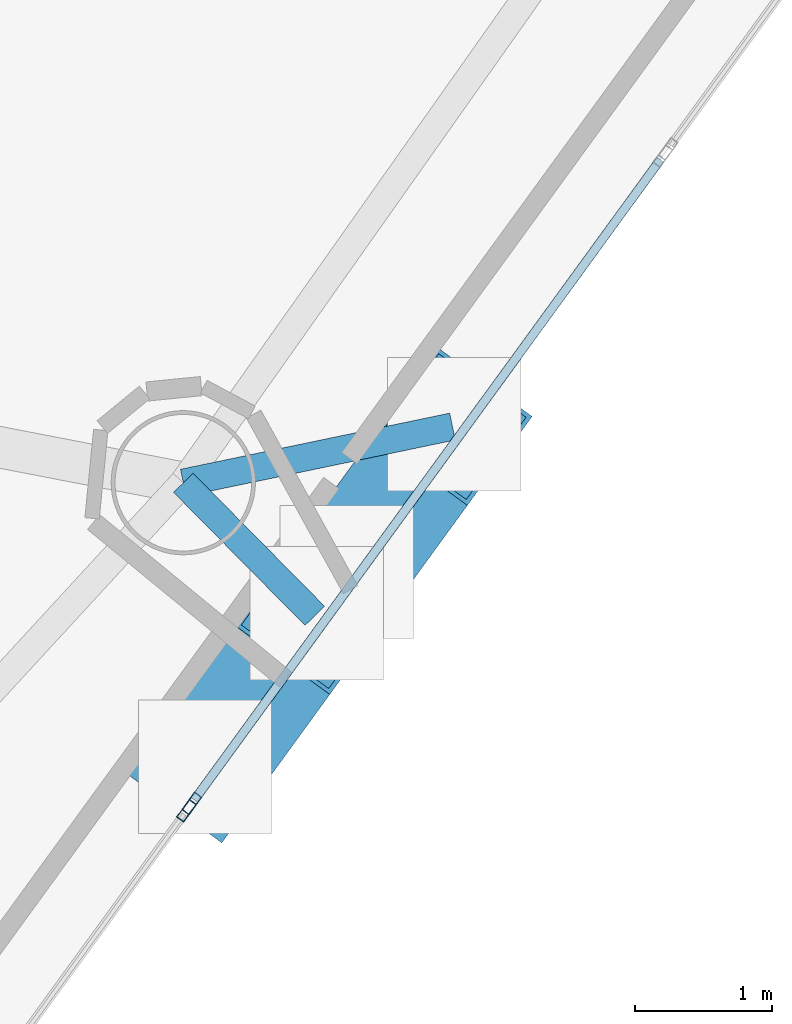
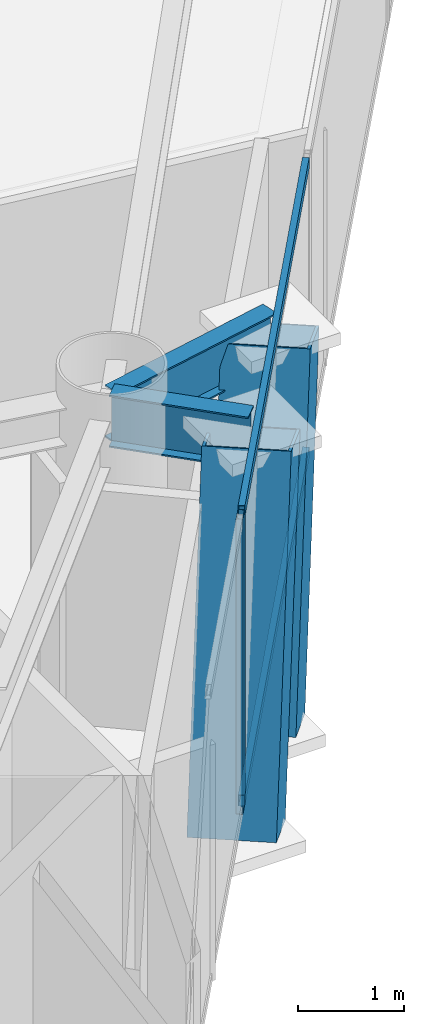
# One storey, part 6 of 21: 6 members, 2 beams, 2 elements without a shape of their own.
"""IFC4 building model written with IfcOpenShell, lengths in metres."""

from ifc_helpers import new_model, si_unit, direction, frame, origin, origin_2d, place, context, subcontext, project, spatial, hollow_rectangle, i_section, extrude, material, layer, layer_set, material_profile, profile_set, type_object, element, aggregate, save


model = new_model("IFC4")

# Units and contexts
model_context = context("Model", 3, precision=1e-05, world=origin(), true_north=direction((0.0, 1.0)))
body_context = subcontext(model_context, "Body", "Model", "MODEL_VIEW")
ifc_project = project(units=[si_unit("LENGTHUNIT", "METRE"), si_unit("AREAUNIT", "SQUARE_METRE"), si_unit("VOLUMEUNIT", "CUBIC_METRE"), si_unit("PLANEANGLEUNIT", "RADIAN"), si_unit("MASSUNIT", "GRAM", prefix="KILO")], contexts=[model_context])

# Site, building, storey
site_placement = place(None, origin())
site = spatial("IfcSite", under=ifc_project, at=site_placement, CompositionType="ELEMENT")
building_placement = place(site_placement, origin())
building = spatial("IfcBuilding", under=site, at=building_placement, Name="Qianvela Tower", CompositionType="ELEMENT")
storey_placement = place(building_placement, frame((0.0, 0.0, 272.300048828125)))
storey = spatial("IfcBuildingStorey", under=building, at=storey_placement, Name="L70", CompositionType="ELEMENT", Elevation=272.300048828125)

# Beams
ifc_material_1 = material(Name="Steel Q355B", Category="steel")
ifc_material_profile_1 = material_profile(ifc_material_1, i_section(OverallWidth=0.199951171875, OverallDepth=0.60009765625, WebThickness=0.010986328125, FlangeThickness=0.01708984375, at=origin_2d()), Name="HN600x200x11x17")
ifc_profile_set_1 = profile_set([ifc_material_profile_1], Name="Steel Q355B")
beam_type = type_object("IfcBeamType", Name="BM-HN600-GIRD", PredefinedType="BEAM", material=ifc_profile_set_1)
beam_1_placement = place(storey_placement, frame((45.43603515625, 20.597900390625, 3.097900390625), z_axis=(0.702788692002, -0.711398660664, 0.0), x_axis=(0.711398660664, 0.702788692002, 0.0)))
element("IfcBeam", 1, at=beam_1_placement, inside=storey, type_object=beam_type, Name="L70 Mega-Brace Column Tie Bracket F3-1", PredefinedType="BEAM", context=body_context, shape_type="SweptSolid", body=[
    extrude(i_section(OverallWidth=0.199951171875, OverallDepth=0.60009765625, WebThickness=0.010986328125, FlangeThickness=0.01708984375, at=origin_2d()), origin(), (0.0, 0.0, 1.0), 1.361083984375),
])
beam_2_placement = place(storey_placement, frame((45.43603515625, 20.597900390625, 3.097900390625), z_axis=(0.978918454029, 0.204251463548, 0.0), x_axis=(-0.204251463548, 0.978918454029, 0.0)))
element("IfcBeam", 2, at=beam_2_placement, inside=storey, type_object=beam_type, Name="L70 Mega-Brace Column Tie Bracket F3-2", PredefinedType="BEAM", context=body_context, shape_type="SweptSolid", body=[
    extrude(i_section(OverallWidth=0.199951171875, OverallDepth=0.60009765625, WebThickness=0.010986328125, FlangeThickness=0.01708984375, at=origin_2d()), origin(), (0.0, 0.0, 1.0), 2.0009765625),
])

# Curtain wall, members
ifc_material_2 = material(Name="Anodised Architectural Aluminium and Insulated Spandrel Panel", Category="aluminium")
ifc_layer_1 = layer(ifc_material_2, 0.179931640625)
ifc_layer_set_1 = layer_set([ifc_layer_1], Name="Anodised Architectural Aluminium and Insulated Spandrel Panel")
curtain_wall_type_1 = type_object("IfcCurtainWallType", Name="CW-BRACEBAY", PredefinedType="USERDEFINED", material=ifc_layer_set_1)
curtain_wall_1_placement = place(storey_placement, origin())
curtain_wall_1 = element("IfcCurtainWall", 3, at=curtain_wall_1_placement, inside=storey, type_object=curtain_wall_type_1, Name="L70 CW-BRACEBAY Curtain Wall 06B", ObjectType="CURTAIN_WALL_SYSTEM", PredefinedType="USERDEFINED")
ifc_material_3 = material(Name="Anodised Architectural Aluminium 6063-T6", Category="aluminium")
ifc_material_profile_2 = material_profile(ifc_material_3, hollow_rectangle(XDim=0.06494140625, YDim=0.159912109375, WallThickness=0.0048828125, at=origin_2d()), Name="ALU-MULL-65x160")
ifc_profile_set_2 = profile_set([ifc_material_profile_2], Name="Anodised Architectural Aluminium 6063-T6")
member_type_1 = type_object("IfcMemberType", Name="CW-BRACEBAY-MULL", PredefinedType="MULLION", material=ifc_profile_set_2)
member_1_placement = place(storey_placement, frame((45.497802734375, 18.26416015625, 0.0), z_axis=(0.0, 0.0, 1.0), x_axis=(-0.808541481794, 0.588439183109, 0.0)))
member_1 = element("IfcMember", 4, at=member_1_placement, type_object=member_type_1, Name="CW-9 mullion 1", PredefinedType="MULLION", context=body_context, shape_type="SweptSolid", body=[
    extrude(hollow_rectangle(XDim=0.06494140625, YDim=0.159912109375, WallThickness=0.0048828125, at=origin_2d()), origin(), (0.0, 0.0, 1.0), 3.39990234375),
])
ifc_material_4 = material(Name="Anodised Architectural Aluminium 6063-T6", Category="aluminium")
ifc_material_profile_3 = material_profile(ifc_material_4, hollow_rectangle(XDim=0.06494140625, YDim=0.1298828125, WallThickness=0.00439453125, at=origin_2d()), Name="ALU-TRAN-65x130")
ifc_profile_set_3 = profile_set([ifc_material_profile_3], Name="Anodised Architectural Aluminium 6063-T6")
member_type_2 = type_object("IfcMemberType", Name="CW-BRACEBAY-TRAN", PredefinedType="USERDEFINED", material=ifc_profile_set_3)
member_2_placement = place(storey_placement, frame((45.51708984375, 18.29052734375, 0.032470703125), z_axis=(0.588436288453, 0.808543588455, 0.0), x_axis=(-0.808543588455, 0.588436288453, 0.0)))
member_2 = element("IfcMember", 5, at=member_2_placement, type_object=member_type_2, Name="CW-9 transom 1.1", ObjectType="TRANSOM", PredefinedType="USERDEFINED", context=body_context, shape_type="SweptSolid", body=[
    extrude(hollow_rectangle(XDim=0.06494140625, YDim=0.1298828125, WallThickness=0.00439453125, at=origin_2d()), origin(), (0.0, 0.0, 1.0), 5.760009765625),
])
member_3_placement = place(storey_placement, frame((45.51708984375, 18.29052734375, 3.367431640625), z_axis=(0.588436288453, 0.808543588455, 0.0), x_axis=(-0.808543588455, 0.588436288453, 0.0)))
member_3 = element("IfcMember", 6, at=member_3_placement, type_object=member_type_2, Name="CW-9 transom 1.2", ObjectType="TRANSOM", PredefinedType="USERDEFINED", context=body_context, shape_type="SweptSolid", body=[
    extrude(hollow_rectangle(XDim=0.06494140625, YDim=0.1298828125, WallThickness=0.00439453125, at=origin_2d()), origin(), (0.0, 0.0, 1.0), 5.760009765625),
])
aggregate(curtain_wall_1, [member_1, member_2, member_3])

# Curtain wall, member
ifc_material_5 = material(Name="Anodised Architectural Aluminium and Low-E Glass", Category="aluminium")
ifc_layer_2 = layer(ifc_material_5, 0.159912109375)
ifc_layer_set_2 = layer_set([ifc_layer_2], Name="Anodised Architectural Aluminium and Low-E Glass")
curtain_wall_type_2 = type_object("IfcCurtainWallType", Name="CW-COLIV-Z56", PredefinedType="USERDEFINED", material=ifc_layer_set_2)
curtain_wall_2_placement = place(storey_placement, origin())
curtain_wall_2 = element("IfcCurtainWall", 7, at=curtain_wall_2_placement, inside=storey, type_object=curtain_wall_type_2, Name="L70 CW-COLIV-Z56 Curtain Wall 06A", ObjectType="CURTAIN_WALL_SYSTEM", PredefinedType="USERDEFINED")
ifc_material_6 = material(Name="Anodised Architectural Aluminium 6063-T6", Category="aluminium")
ifc_material_profile_4 = material_profile(ifc_material_6, hollow_rectangle(XDim=0.06494140625, YDim=0.159912109375, WallThickness=0.0048828125, at=origin_2d()), Name="ALU-MULL-65x160")
ifc_profile_set_4 = profile_set([ifc_material_profile_4], Name="Anodised Architectural Aluminium 6063-T6")
member_type_3 = type_object("IfcMemberType", Name="CW-COLIV-Z56-MULL", PredefinedType="MULLION", material=ifc_profile_set_4)
member_4_placement = place(storey_placement, frame((45.459716796875, 18.211669921875, 0.0), z_axis=(0.0, 0.0, 1.0), x_axis=(-0.808531427324, 0.588452998148, 0.0)))
member_4 = element("IfcMember", 8, at=member_4_placement, type_object=member_type_3, Name="CW-5 mullion 3", PredefinedType="MULLION", context=body_context, shape_type="SweptSolid", body=[
    extrude(hollow_rectangle(XDim=0.06494140625, YDim=0.159912109375, WallThickness=0.0048828125, at=origin_2d()), origin(), (0.0, 0.0, 1.0), 3.39990234375),
])
aggregate(curtain_wall_2, [member_4])

# Members
ifc_material_7 = material(Name="Steel Q420GJC", Category="steel")
ifc_material_profile_5 = material_profile(ifc_material_7, hollow_rectangle(XDim=0.85009765625, YDim=0.85009765625, WallThickness=0.031982421875, at=origin_2d()), Name="MBOX-850x850x32")
ifc_profile_set_5 = profile_set([ifc_material_profile_5], Name="Steel Q420GJC")
member_type_4 = type_object("IfcMemberType", Name="MBR-MBRACE-850", PredefinedType="BRACE", material=ifc_profile_set_5)
member_5_placement = place(storey_placement, frame((45.606689453125, 18.5498046875, -0.48193359375), z_axis=(0.205684398808, 0.282616370279, 0.936921509699), x_axis=(-0.808538413605, 0.588443398914, 0.0)))
element("IfcMember", 9, at=member_5_placement, inside=storey, type_object=member_type_4, Name="L70 Tier 11 Exterior Mega-Brace F3A", PredefinedType="BRACE", context=body_context, shape_type="SweptSolid", body=[
    extrude(hollow_rectangle(XDim=0.85009765625, YDim=0.85009765625, WallThickness=0.031982421875, at=origin_2d()), origin(), (0.0, 0.0, 1.0), 3.82080078125),
])
member_6_placement = place(storey_placement, frame((46.6376953125, 19.966552734375, -0.48193359375), z_axis=(0.199024531152, 0.273410029895, 0.941082457361), x_axis=(-0.808481594948, 0.588521461487, 0.0)))
element("IfcMember", 10, at=member_6_placement, inside=storey, type_object=member_type_4, Name="L70 Tier 11 Exterior Mega-Brace F3B", PredefinedType="BRACE", context=body_context, shape_type="SweptSolid", body=[
    extrude(hollow_rectangle(XDim=0.85009765625, YDim=0.85009765625, WallThickness=0.031982421875, at=origin_2d()), origin(), (0.0, 0.0, 1.0), 3.803955078125),
])

save(model, "model.ifc")
